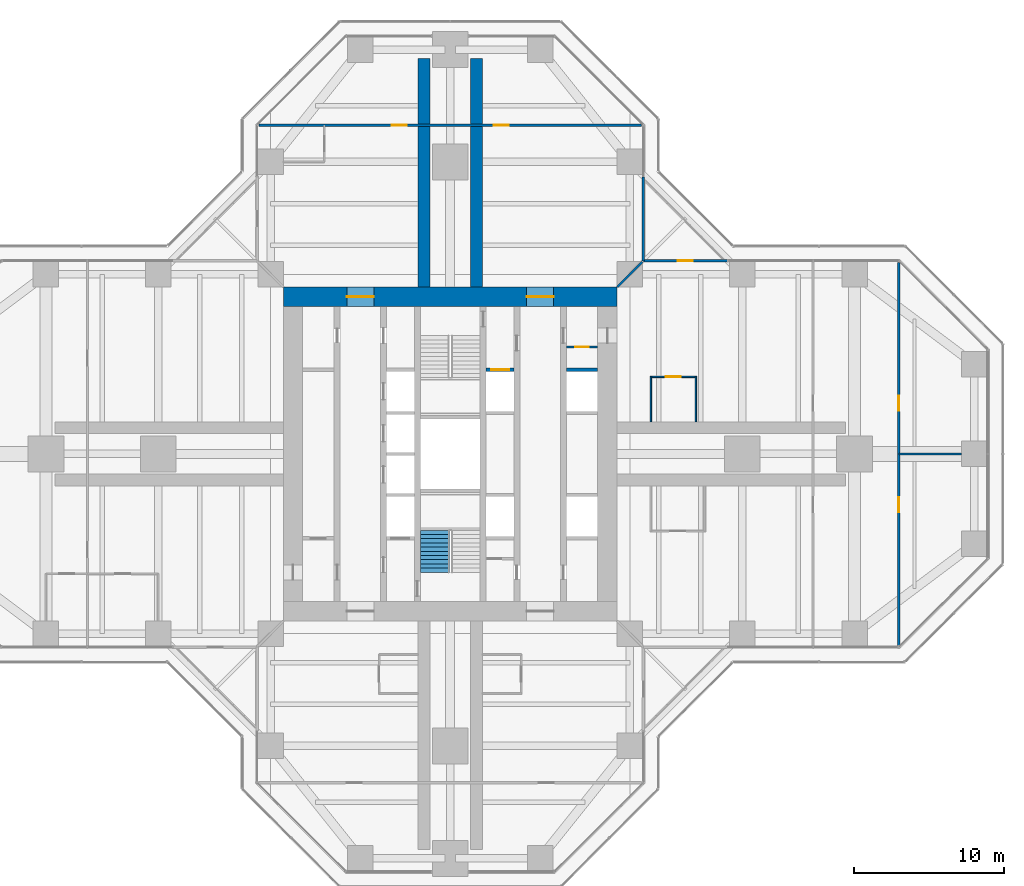
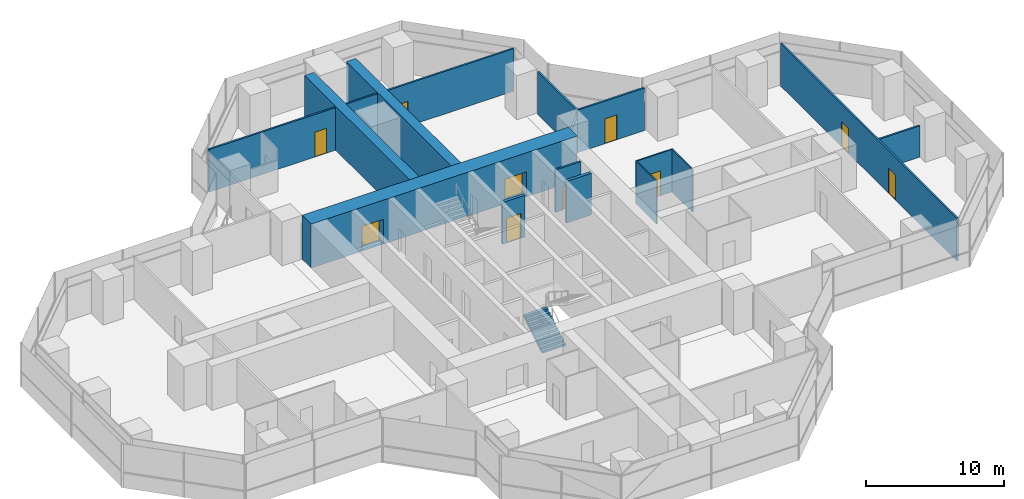
# One storey, part 17 of 19: 15 walls, 10 doors, 1 stair flight, 10 openings, 1 element without a shape of its own.
"""IFC4 building model written with IfcOpenShell, lengths in metres."""

from ifc_helpers import new_model, si_unit, direction, frame, frame_2d, origin, place, context, subcontext, project, spatial, polyline, rectangle, outline, extrude, material, layer, layer_set, type_object, element, fill, aggregate, save


model = new_model("IFC4")

# Units and contexts
model_context = context("Model", 3, precision=1e-05, world=origin(), true_north=direction((0.0, 1.0)))
body_context = subcontext(model_context, "Body", "Model", "MODEL_VIEW")
ifc_project = project(units=[si_unit("LENGTHUNIT", "METRE"), si_unit("AREAUNIT", "SQUARE_METRE"), si_unit("VOLUMEUNIT", "CUBIC_METRE"), si_unit("PLANEANGLEUNIT", "RADIAN"), si_unit("MASSUNIT", "GRAM", prefix="KILO")], contexts=[model_context])

# Site, building, storey
site_placement = place(None, origin())
site = spatial("IfcSite", under=ifc_project, at=site_placement, CompositionType="ELEMENT")
building_placement = place(site_placement, origin())
building = spatial("IfcBuilding", under=site, at=building_placement, Name="Mizan Broadcast Tower", CompositionType="ELEMENT")
storey_placement = place(building_placement, frame((0.0, 0.0, 182.699951171875)))
storey = spatial("IfcBuildingStorey", under=building, at=storey_placement, Name="L42", CompositionType="ELEMENT", Elevation=182.699951171875)

# Wall, opening, door
ifc_material_1 = material(Name="Concrete blockwork", Category="masonry")
ifc_layer_1 = layer(ifc_material_1, 0.14990234375)
ifc_layer_set_1 = layer_set([ifc_layer_1], Name="Concrete blockwork")
wall_type_1 = type_object("IfcWallType", Name="CORE PARTITION 150", PredefinedType="SOLIDWALL", material=ifc_layer_set_1)
wall_1_placement = place(storey_placement, frame((9.85009765625, 7.14990234375, 0.0), z_axis=(0.0, 0.0, 1.0), x_axis=(-1.0, 0.0, 0.0)))
wall_1 = element("IfcWall", 1, at=wall_1_placement, inside=storey, type_object=wall_type_1, Name="Core partition CORE/XPE", PredefinedType="SOLIDWALL", context=body_context, shape_type="SweptSolid", body=[
    extrude(rectangle(XDim=2.10009765625, YDim=0.14990234375, at=frame_2d((1.050048828125, 0.0))), origin(), (0.0, 0.0, 1.0), 3.77001953125),
])
opening_1_placement = place(wall_1_placement, frame((0.60009765625, 0.0, 0.0)))
opening_1 = element("IfcOpeningElement", 2, at=opening_1_placement, cuts=wall_1, Name="Opening D09F", PredefinedType="OPENING", context=body_context, shape_type="SweptSolid", body=[
    extrude(rectangle(XDim=0.89990234375, YDim=2.10009765625, at=frame_2d((0.449951171875, 1.050048828125))), frame((0.0, 0.0849609375, 0.0), z_axis=(0.0, -1.0, 0.0), x_axis=(1.0, 0.0, 0.0)), (0.0, 0.0, 1.0), 0.169921875),
])
ifc_material_2 = material(Name="Steel door leaf in steel frame", Category="steel")
door_type_1 = type_object("IfcDoorType", Name="CORE ROOM DOOR 900 FD90", OperationType="SINGLE_SWING_LEFT", PredefinedType="DOOR", material=ifc_material_2)
door_1_placement = place(opening_1_placement, origin())
door_1 = element("IfcDoor", 3, at=door_1_placement, inside=storey, type_object=door_type_1, Name="Electrical cupboard door", OperationType="SINGLE_SWING_RIGHT", OverallHeight=2.10009765625, OverallWidth=0.89990234375, PredefinedType="DOOR", context=body_context, shape_type="SweptSolid", body=[
    extrude(rectangle(XDim=0.89990234375, YDim=2.10009765625, at=frame_2d((0.449951171875, 1.050048828125))), frame((0.0, 0.02490234375, 0.0), z_axis=(0.0, -1.0, 0.0), x_axis=(1.0, 0.0, 0.0)), (0.0, 0.0, 1.0), 0.050048828125),
])
fill(opening_1, door_1)

# Wall, openings, doors
ifc_material_3 = material(Name="Concrete C70/85", Category="concrete")
ifc_layer_2 = layer(ifc_material_3, 1.300048828125)
ifc_layer_set_2 = layer_set([ifc_layer_2], Name="Concrete C70/85")
wall_type_2 = type_object("IfcWallType", Name="CORE WALL 1300", PredefinedType="SHEAR", material=ifc_layer_set_2)
wall_2_placement = place(storey_placement, frame((-11.14990234375, 10.5, 0.0), z_axis=(0.0, 0.0, 1.0), x_axis=(1.0, 0.0, 0.0)))
wall_2 = element("IfcWall", 4, at=wall_2_placement, inside=storey, type_object=wall_type_2, Name="Core wall N L42", PredefinedType="SHEAR", context=body_context, shape_type="SweptSolid", body=[
    extrude(rectangle(XDim=22.2998046875, YDim=1.300048828125, at=frame_2d((11.14990234375, 0.0))), origin(), (0.0, 0.0, 1.0), 3.900146484375),
])
opening_2_placement = place(wall_2_placement, frame((4.25, 0.0, 0.0)))
opening_2 = element("IfcOpeningElement", 5, at=opening_2_placement, cuts=wall_2, Name="Opening D18F", PredefinedType="OPENING", context=body_context, shape_type="SweptSolid", body=[
    extrude(rectangle(XDim=1.800048828125, YDim=2.199951171875, at=frame_2d((0.89990234375, 1.10009765625))), frame((0.0, 0.659912109375, 0.0), z_axis=(0.0, -1.0, 0.0), x_axis=(1.0, 0.0, 0.0)), (0.0, 0.0, 1.0), 1.320068359375),
])
opening_3_placement = place(wall_2_placement, frame((16.25, 0.0, 0.0)))
opening_3 = element("IfcOpeningElement", 6, at=opening_3_placement, cuts=wall_2, Name="Opening D18F", PredefinedType="OPENING", context=body_context, shape_type="SweptSolid", body=[
    extrude(rectangle(XDim=1.800048828125, YDim=2.199951171875, at=frame_2d((0.89990234375, 1.10009765625))), frame((0.0, 0.659912109375, 0.0), z_axis=(0.0, -1.0, 0.0), x_axis=(1.0, 0.0, 0.0)), (0.0, 0.0, 1.0), 1.320068359375),
])
ifc_material_4 = material(Name="Steel door leaf in steel frame", Category="steel")
door_type_2 = type_object("IfcDoorType", Name="LOBBY DOUBLE DOOR 1800 FD90", OperationType="DOUBLE_DOOR_DOUBLE_SWING", PredefinedType="DOOR", material=ifc_material_4)
door_2_placement = place(opening_2_placement, origin())
door_2 = element("IfcDoor", 7, at=door_2_placement, inside=storey, type_object=door_type_2, Name="West lift lobby north door", OperationType="DOUBLE_DOOR_DOUBLE_SWING", OverallHeight=2.199951171875, OverallWidth=1.800048828125, PredefinedType="DOOR", context=body_context, shape_type="SweptSolid", body=[
    extrude(rectangle(XDim=1.800048828125, YDim=2.199951171875, at=frame_2d((0.89990234375, 1.10009765625))), frame((0.0, 0.02490234375, 0.0), z_axis=(0.0, -1.0, 0.0), x_axis=(1.0, 0.0, 0.0)), (0.0, 0.0, 1.0), 0.050048828125),
])
fill(opening_2, door_2)
door_3_placement = place(opening_3_placement, origin())
door_3 = element("IfcDoor", 8, at=door_3_placement, inside=storey, type_object=door_type_2, Name="East lift lobby north door", OperationType="DOUBLE_DOOR_DOUBLE_SWING", OverallHeight=2.199951171875, OverallWidth=1.800048828125, PredefinedType="DOOR", context=body_context, shape_type="SweptSolid", body=[
    extrude(rectangle(XDim=1.800048828125, YDim=2.199951171875, at=frame_2d((0.89990234375, 1.10009765625))), frame((0.0, 0.02490234375, 0.0), z_axis=(0.0, -1.0, 0.0), x_axis=(1.0, 0.0, 0.0)), (0.0, 0.0, 1.0), 0.050048828125),
])
fill(opening_3, door_3)

# Wall, opening, door
ifc_material_5 = material(Name="Aluminium framed glazed screen", Category="aluminium")
ifc_layer_3 = layer(ifc_material_5, 0.159912109375)
ifc_layer_set_3 = layer_set([ifc_layer_3], Name="Aluminium framed glazed screen")
wall_type_3 = type_object("IfcWallType", Name="GLAZED SCREEN WALL 160", PredefinedType="SOLIDWALL", material=ifc_layer_set_3)
wall_3_placement = place(storey_placement, frame((18.5, 12.89990234375, 0.0), z_axis=(0.0, 0.0, 1.0), x_axis=(-1.0, 0.0, 0.0)))
wall_3 = element("IfcWall", 9, at=wall_3_placement, inside=storey, type_object=wall_type_3, Name="Winter garden screen L42 E", PredefinedType="SOLIDWALL", context=body_context, shape_type="SweptSolid", body=[
    extrude(rectangle(XDim=5.60009765625, YDim=0.159912109375, at=frame_2d((2.800048828125, 0.0))), origin(), (0.0, 0.0, 1.0), 3.77001953125),
])
opening_4_placement = place(wall_3_placement, frame((2.300048828125, 0.0, 0.0)))
opening_4 = element("IfcOpeningElement", 10, at=opening_4_placement, cuts=wall_3, Name="Opening WGD", PredefinedType="OPENING", context=body_context, shape_type="SweptSolid", body=[
    extrude(rectangle(XDim=1.0, YDim=2.199951171875, at=frame_2d((0.5, 1.10009765625))), frame((0.0, 0.08984375, 0.0), z_axis=(0.0, -1.0, 0.0), x_axis=(1.0, 0.0, 0.0)), (0.0, 0.0, 1.0), 0.179931640625),
])
ifc_material_6 = material(Name="Aluminium framed glazed door", Category="aluminium")
door_type_3 = type_object("IfcDoorType", Name="WINTER GARDEN DOOR 1000 GLAZED", OperationType="SINGLE_SWING_LEFT", PredefinedType="DOOR", material=ifc_material_6)
door_4_placement = place(opening_4_placement, origin())
door_4 = element("IfcDoor", 11, at=door_4_placement, inside=storey, type_object=door_type_3, Name="Winter garden door L42 E", OperationType="SINGLE_SWING_RIGHT", OverallHeight=2.199951171875, OverallWidth=1.0, PredefinedType="DOOR", context=body_context, shape_type="SweptSolid", body=[
    extrude(rectangle(XDim=1.0, YDim=2.199951171875, at=frame_2d((0.5, 1.10009765625))), frame((0.0, 0.02490234375, 0.0), z_axis=(0.0, -1.0, 0.0), x_axis=(1.0, 0.0, 0.0)), (0.0, 0.0, 1.0), 0.050048828125),
])
fill(opening_4, door_4)

# Wall
wall_4_placement = place(storey_placement, frame((12.89990234375, 12.89990234375, 0.0), z_axis=(0.0, 0.0, 1.0), x_axis=(0.0, 1.0, 0.0)))
element("IfcWall", 12, at=wall_4_placement, inside=storey, type_object=wall_type_3, Name="Winter garden screen L42 N", PredefinedType="SOLIDWALL", context=body_context, shape_type="SweptSolid", body=[
    extrude(rectangle(XDim=5.60009765625, YDim=0.159912109375, at=frame_2d((2.800048828125, 0.0))), origin(), (0.0, 0.0, 1.0), 3.77001953125),
])

# Wall, opening, door
ifc_material_7 = material(Name="Concrete blockwork", Category="masonry")
ifc_layer_4 = layer(ifc_material_7, 0.25)
ifc_layer_set_4 = layer_set([ifc_layer_4], Name="Concrete blockwork")
wall_type_4 = type_object("IfcWallType", Name="LOBBY ENCLOSURE WALL 250", PredefinedType="SOLIDWALL", material=ifc_layer_set_4)
wall_5_placement = place(storey_placement, frame((2.39990234375, 5.625, 0.0), z_axis=(0.0, 0.0, 1.0), x_axis=(1.0, 0.0, 0.0)))
wall_5 = element("IfcWall", 13, at=wall_5_placement, inside=storey, type_object=wall_type_4, Name="Lobby enclosure wall CORE/BE2N", PredefinedType="SOLIDWALL", context=body_context, shape_type="SweptSolid", body=[
    extrude(rectangle(XDim=1.85009765625, YDim=0.25, at=frame_2d((0.925048828125, 0.0))), origin(), (0.0, 0.0, 1.0), 3.699951171875),
])
opening_5_placement = place(wall_5_placement, frame((0.324951171875, 0.0, 0.0)))
opening_5 = element("IfcOpeningElement", 14, at=opening_5_placement, cuts=wall_5, Name="Opening LDF", PredefinedType="OPENING", context=body_context, shape_type="SweptSolid", body=[
    extrude(rectangle(XDim=1.199951171875, YDim=2.199951171875, at=frame_2d((0.60009765625, 1.10009765625))), frame((0.0, 0.135009765625, 0.0), z_axis=(0.0, -1.0, 0.0), x_axis=(1.0, 0.0, 0.0)), (0.0, 0.0, 1.0), 0.27001953125),
])
ifc_material_8 = material(Name="Steel door leaf in steel frame", Category="steel")
door_type_4 = type_object("IfcDoorType", Name="FIREFIGHTING LIFT LANDING DOOR 1200", OperationType="SLIDING_TO_LEFT", PredefinedType="DOOR", material=ifc_material_8)
door_5_placement = place(opening_5_placement, origin())
door_5 = element("IfcDoor", 15, at=door_5_placement, inside=storey, type_object=door_type_4, Name="Landing door FF2", OperationType="SLIDING_TO_LEFT", OverallHeight=2.199951171875, OverallWidth=1.199951171875, PredefinedType="DOOR", context=body_context, shape_type="SweptSolid", body=[
    extrude(rectangle(XDim=1.199951171875, YDim=2.199951171875, at=frame_2d((0.60009765625, 1.10009765625))), frame((0.0, 0.02490234375, 0.0), z_axis=(0.0, -1.0, 0.0), x_axis=(1.0, 0.0, 0.0)), (0.0, 0.0, 1.0), 0.050048828125),
])
fill(opening_5, door_5)

# Wall
wall_6_placement = place(storey_placement, frame((7.75, 5.625, 0.0), z_axis=(0.0, 0.0, 1.0), x_axis=(1.0, 0.0, 0.0)))
element("IfcWall", 16, at=wall_6_placement, inside=storey, type_object=wall_type_4, Name="Lobby enclosure wall CORE/BE1N", PredefinedType="SOLIDWALL", context=body_context, shape_type="SweptSolid", body=[
    extrude(rectangle(XDim=2.10009765625, YDim=0.25, at=frame_2d((1.050048828125, 0.0))), origin(), (0.0, 0.0, 1.0), 3.699951171875),
])

# Wall, openings, doors
ifc_material_9 = material(Name="Gypsum board on steel studs", Category="steel")
ifc_layer_5 = layer(ifc_material_9, 0.14990234375)
ifc_layer_set_5 = layer_set([ifc_layer_5], Name="Gypsum board on steel studs")
wall_type_5 = type_object("IfcWallType", Name="PARTITION 150", PredefinedType="PARTITIONING", material=ifc_layer_set_5)
wall_7_placement = place(storey_placement, frame((29.958984375, -12.786376953125, 0.0), z_axis=(0.0, 0.0, 1.0), x_axis=(0.0, 1.0, 0.0)))
wall_7 = element("IfcWall", 17, at=wall_7_placement, inside=storey, type_object=wall_type_5, Name="Partition PT/EX2", PredefinedType="PARTITIONING", context=body_context, shape_type="SweptSolid", body=[
    extrude(rectangle(XDim=25.57275390625, YDim=0.14990234375, at=frame_2d((12.786376953125, 0.0))), origin(), (0.0, 0.0, 1.0), 3.77001953125),
])
opening_6_placement = place(wall_7_placement, frame((15.6865234375, 0.0, 0.0)))
opening_6 = element("IfcOpeningElement", 18, at=opening_6_placement, cuts=wall_7, Name="Opening D10", PredefinedType="OPENING", context=body_context, shape_type="SweptSolid", body=[
    extrude(rectangle(XDim=1.0, YDim=2.199951171875, at=frame_2d((0.5, 1.10009765625))), frame((0.0, 0.0849609375, 0.0), z_axis=(0.0, -1.0, 0.0), x_axis=(1.0, 0.0, 0.0)), (0.0, 0.0, 1.0), 0.169921875),
])
opening_7_placement = place(wall_7_placement, frame((8.886474609375, 0.0, 0.0)))
opening_7 = element("IfcOpeningElement", 19, at=opening_7_placement, cuts=wall_7, Name="Opening D10", PredefinedType="OPENING", context=body_context, shape_type="SweptSolid", body=[
    extrude(rectangle(XDim=1.0, YDim=2.199951171875, at=frame_2d((0.5, 1.10009765625))), frame((0.0, 0.0849609375, 0.0), z_axis=(0.0, -1.0, 0.0), x_axis=(1.0, 0.0, 0.0)), (0.0, 0.0, 1.0), 0.169921875),
])
ifc_material_10 = material(Name="Timber door leaf in aluminium frame", Category="wood")
door_type_5 = type_object("IfcDoorType", Name="ROOM DOOR 1000", OperationType="SINGLE_SWING_LEFT", PredefinedType="DOOR", material=ifc_material_10)
door_6_placement = place(opening_6_placement, origin())
door_6 = element("IfcDoor", 20, at=door_6_placement, inside=storey, type_object=door_type_5, Name="Open office door", OperationType="SINGLE_SWING_RIGHT", OverallHeight=2.199951171875, OverallWidth=1.0, PredefinedType="DOOR", context=body_context, shape_type="SweptSolid", body=[
    extrude(rectangle(XDim=1.0, YDim=2.199951171875, at=frame_2d((0.5, 1.10009765625))), frame((0.0, 0.02490234375, 0.0), z_axis=(0.0, -1.0, 0.0), x_axis=(1.0, 0.0, 0.0)), (0.0, 0.0, 1.0), 0.050048828125),
])
fill(opening_6, door_6)
door_7_placement = place(opening_7_placement, origin())
door_7 = element("IfcDoor", 21, at=door_7_placement, inside=storey, type_object=door_type_5, Name="Open office door", OperationType="SINGLE_SWING_LEFT", OverallHeight=2.199951171875, OverallWidth=1.0, PredefinedType="DOOR", context=body_context, shape_type="SweptSolid", body=[
    extrude(rectangle(XDim=1.0, YDim=2.199951171875, at=frame_2d((0.5, 1.10009765625))), frame((0.0, 0.02490234375, 0.0), z_axis=(0.0, -1.0, 0.0), x_axis=(1.0, 0.0, 0.0)), (0.0, 0.0, 1.0), 0.050048828125),
])
fill(opening_7, door_7)

# Wall
wall_8_placement = place(storey_placement, frame((29.958984375, 0.0, 0.0), z_axis=(0.0, 0.0, 1.0), x_axis=(1.0, 0.0, 0.0)))
element("IfcWall", 22, at=wall_8_placement, inside=storey, type_object=wall_type_5, Name="Partition PT/EES", PredefinedType="PARTITIONING", context=body_context, shape_type="SweptSolid", body=[
    extrude(rectangle(XDim=4.19091796875, YDim=0.14990234375, at=frame_2d((2.095458984375, 0.0))), origin(), (0.0, 0.0, 1.0), 2.77001953125),
])

# Wall, openings, doors
wall_9_placement = place(storey_placement, frame((12.786376953125, 21.958984375, 0.0), z_axis=(0.0, 0.0, 1.0), x_axis=(-1.0, 0.0, 0.0)))
wall_9 = element("IfcWall", 23, at=wall_9_placement, inside=storey, type_object=wall_type_5, Name="Partition PT/NX1", PredefinedType="PARTITIONING", context=body_context, shape_type="SweptSolid", body=[
    extrude(rectangle(XDim=25.57275390625, YDim=0.14990234375, at=frame_2d((12.786376953125, 0.0))), origin(), (0.0, 0.0, 1.0), 3.77001953125),
])
opening_8_placement = place(wall_9_placement, frame((15.6865234375, 0.0, 0.0)))
opening_8 = element("IfcOpeningElement", 24, at=opening_8_placement, cuts=wall_9, Name="Opening D10", PredefinedType="OPENING", context=body_context, shape_type="SweptSolid", body=[
    extrude(rectangle(XDim=1.0, YDim=2.199951171875, at=frame_2d((0.5, 1.10009765625))), frame((0.0, 0.0849609375, 0.0), z_axis=(0.0, -1.0, 0.0), x_axis=(1.0, 0.0, 0.0)), (0.0, 0.0, 1.0), 0.169921875),
])
opening_9_placement = place(wall_9_placement, frame((8.886474609375, 0.0, 0.0)))
opening_9 = element("IfcOpeningElement", 25, at=opening_9_placement, cuts=wall_9, Name="Opening D10", PredefinedType="OPENING", context=body_context, shape_type="SweptSolid", body=[
    extrude(rectangle(XDim=1.0, YDim=2.199951171875, at=frame_2d((0.5, 1.10009765625))), frame((0.0, 0.0849609375, 0.0), z_axis=(0.0, -1.0, 0.0), x_axis=(1.0, 0.0, 0.0)), (0.0, 0.0, 1.0), 0.169921875),
])
door_8_placement = place(opening_8_placement, origin())
door_8 = element("IfcDoor", 26, at=door_8_placement, inside=storey, type_object=door_type_5, Name="Office door", OperationType="SINGLE_SWING_RIGHT", OverallHeight=2.199951171875, OverallWidth=1.0, PredefinedType="DOOR", context=body_context, shape_type="SweptSolid", body=[
    extrude(rectangle(XDim=1.0, YDim=2.199951171875, at=frame_2d((0.5, 1.10009765625))), frame((0.0, 0.02490234375, 0.0), z_axis=(0.0, -1.0, 0.0), x_axis=(1.0, 0.0, 0.0)), (0.0, 0.0, 1.0), 0.050048828125),
])
fill(opening_8, door_8)
door_9_placement = place(opening_9_placement, origin())
door_9 = element("IfcDoor", 27, at=door_9_placement, inside=storey, type_object=door_type_5, Name="Office door", OperationType="SINGLE_SWING_LEFT", OverallHeight=2.199951171875, OverallWidth=1.0, PredefinedType="DOOR", context=body_context, shape_type="SweptSolid", body=[
    extrude(rectangle(XDim=1.0, YDim=2.199951171875, at=frame_2d((0.5, 1.10009765625))), frame((0.0, 0.02490234375, 0.0), z_axis=(0.0, -1.0, 0.0), x_axis=(1.0, 0.0, 0.0)), (0.0, 0.0, 1.0), 0.050048828125),
])
fill(opening_9, door_9)

# Walls
wall_10_placement = place(storey_placement, frame((11.14990234375, 11.14990234375, 0.0), z_axis=(0.0, 0.0, 1.0), x_axis=(0.707106781187, 0.707106781187, 0.0)))
element("IfcWall", 28, at=wall_10_placement, inside=storey, type_object=wall_type_5, Name="Partition PT/DGEN", PredefinedType="PARTITIONING", context=body_context, shape_type="SweptSolid", body=[
    extrude(rectangle(XDim=2.362060546875, YDim=0.14990234375, at=frame_2d((1.18115234375, 0.0))), origin(), (0.0, 0.0, 1.0), 3.219970703125),
])
ifc_material_11 = material(Name="Glazed aluminium partition on aluminium track", Category="aluminium")
ifc_layer_6 = layer(ifc_material_11, 0.10009765625)
ifc_layer_set_6 = layer_set([ifc_layer_6], Name="Glazed aluminium partition on aluminium track")
wall_type_6 = type_object("IfcWallType", Name="PARTITION GLAZED OFFICE FRONT 100", PredefinedType="PARTITIONING", material=ifc_layer_set_6)
for number, where, z_axis, x_axis, name in (
    (29, (13.39990234375, 2.14990234375, 0.0), (0.0, 0.0, 1.0), (0.0, 1.0, 0.0), "Glazed office front PT/EKP0a"),
    (30, (16.39990234375, 2.14990234375, 0.0), (0.0, 0.0, 1.0), (0.0, 1.0, 0.0), "Glazed office front PT/EKP0b"),
):
    element("IfcWall", number, at=place(storey_placement, frame(where, z_axis=z_axis, x_axis=x_axis)), inside=storey, type_object=wall_type_6, Name=name, PredefinedType="PARTITIONING", context=body_context, shape_type="SweptSolid", body=[
        extrude(rectangle(XDim=3.0, YDim=0.10009765625, at=frame_2d((1.5, 0.0))), origin(), (0.0, 0.0, 1.0), 3.77001953125),
    ])

# Wall, opening, door
wall_11_placement = place(storey_placement, frame((13.35009765625, 5.14990234375, 0.0), z_axis=(0.0, 0.0, 1.0), x_axis=(1.0, 0.0, 0.0)))
wall_11 = element("IfcWall", 31, at=wall_11_placement, inside=storey, type_object=wall_type_6, Name="Glazed office front PT/EKP0f", PredefinedType="PARTITIONING", context=body_context, shape_type="SweptSolid", body=[
    extrude(rectangle(XDim=3.099853515625, YDim=0.10009765625, at=frame_2d((1.5498046875, 0.0))), origin(), (0.0, 0.0, 1.0), 3.77001953125),
])
opening_10_placement = place(wall_11_placement, frame((1.050048828125, 0.0, 0.0)))
opening_10 = element("IfcOpeningElement", 32, at=opening_10_placement, cuts=wall_11, Name="Opening D10O", PredefinedType="OPENING", context=body_context, shape_type="SweptSolid", body=[
    extrude(rectangle(XDim=1.0, YDim=2.199951171875, at=frame_2d((0.5, 1.10009765625))), frame((0.0, 0.06005859375, 0.0), z_axis=(0.0, -1.0, 0.0), x_axis=(1.0, 0.0, 0.0)), (0.0, 0.0, 1.0), 0.1201171875),
])
ifc_material_12 = material(Name="Timber door leaf in aluminium frame", Category="wood")
door_type_6 = type_object("IfcDoorType", Name="OFFICE DOOR 1000 GLAZED", OperationType="SINGLE_SWING_LEFT", PredefinedType="DOOR", material=ifc_material_12)
door_10_placement = place(opening_10_placement, origin())
door_10 = element("IfcDoor", 33, at=door_10_placement, inside=storey, type_object=door_type_6, Name="Pantry door", OperationType="SINGLE_SWING_LEFT", OverallHeight=2.199951171875, OverallWidth=1.0, PredefinedType="DOOR", context=body_context, shape_type="SweptSolid", body=[
    extrude(rectangle(XDim=1.0, YDim=2.199951171875, at=frame_2d((0.5, 1.10009765625))), frame((0.0, 0.02490234375, 0.0), z_axis=(0.0, -1.0, 0.0), x_axis=(1.0, 0.0, 0.0)), (0.0, 0.0, 1.0), 0.050048828125),
])
fill(opening_10, door_10)

# Walls
ifc_material_13 = material(Name="Concrete C70/85", Category="concrete")
ifc_layer_7 = layer(ifc_material_13, 0.800048828125)
ifc_layer_set_7 = layer_set([ifc_layer_7], Name="Concrete C70/85")
wall_type_7 = type_object("IfcWallType", Name="SPINE WALL 800", PredefinedType="SHEAR", material=ifc_layer_set_7)
for number, where, z_axis, x_axis, name in (
    (34, (1.75, 11.14990234375, 0.0), (0.0, 0.0, 1.0), (0.0, 1.0, 0.0), "Spine wall NR L42"),
    (35, (-1.75, 11.14990234375, 0.0), (0.0, 0.0, 1.0), (0.0, 1.0, 0.0), "Spine wall NL L42"),
):
    element("IfcWall", number, at=place(storey_placement, frame(where, z_axis=z_axis, x_axis=x_axis)), inside=storey, type_object=wall_type_7, Name=name, PredefinedType="SHEAR", context=body_context, shape_type="SweptSolid", body=[
        extrude(rectangle(XDim=15.25, YDim=0.800048828125, at=frame_2d((7.625, 0.0))), origin(), (0.0, 0.0, 1.0), 3.900146484375),
    ])

# Stair, stair flight
ifc_material_14 = material(Name="Concrete C40/50", Category="concrete")
stair_type = type_object("IfcStairType", Name="EXIT STAIR", PredefinedType="HALF_TURN_STAIR", material=ifc_material_14)
stair_placement = place(storey_placement, origin())
stair = element("IfcStair", 36, at=stair_placement, inside=storey, type_object=stair_type, Name="Stair A L42", PredefinedType="HALF_TURN_STAIR")
ifc_material_15 = material(Name="Concrete C40/50", Category="concrete")
stair_flight_type = type_object("IfcStairFlightType", Name="EXIT STAIR FLIGHT", PredefinedType="STRAIGHT", material=ifc_material_15)
stair_flight_placement = place(storey_placement, frame((-1.02490234375, -7.89990234375, 0.0), z_axis=(0.0, 0.0, 1.0), x_axis=(0.0, 1.0, 0.0)))
stair_flight = element("IfcStairFlight", 37, at=stair_flight_placement, type_object=stair_flight_type, Name="A flight 1", NumberOfRisers=11, NumberOfTreads=10, PredefinedType="STRAIGHT", RiserHeight=0.177272727, TreadLength=0.28, context=body_context, shape_type="SweptSolid", body=[
    extrude(outline(polyline([(0.0, 0.0), (0.0, 0.17724609375), (0.280029296875, 0.17724609375), (0.280029296875, 0.3544921875), (0.56005859375, 0.3544921875), (0.56005859375, 0.53173828125), (0.840087890625, 0.53173828125), (0.840087890625, 0.708984375), (1.1201171875, 0.708984375), (1.1201171875, 0.886474609375), (1.39990234375, 0.886474609375), (1.39990234375, 1.063720703125), (1.679931640625, 1.063720703125), (1.679931640625, 1.240966796875), (1.9599609375, 1.240966796875), (1.9599609375, 1.418212890625), (2.239990234375, 1.418212890625), (2.239990234375, 1.595458984375), (2.52001953125, 1.595458984375), (2.52001953125, 1.772705078125), (2.800048828125, 1.772705078125), (2.800048828125, 1.949951171875), (2.800048828125, 1.59521484375), (0.2802734375, 0.0), (0.0, 0.0)])), frame((0.0, 0.97509765625, 0.0), z_axis=(0.0, -1.0, 0.0), x_axis=(1.0, 0.0, 0.0)), (0.0, 0.0, 1.0), 0.4873046875),
    extrude(outline(polyline([(0.0, 0.0), (0.0, 0.17724609375), (0.280029296875, 0.17724609375), (0.280029296875, 0.3544921875), (0.56005859375, 0.3544921875), (0.56005859375, 0.53173828125), (0.840087890625, 0.53173828125), (0.840087890625, 0.708984375), (1.1201171875, 0.708984375), (1.1201171875, 0.886474609375), (1.39990234375, 0.886474609375), (1.39990234375, 1.063720703125), (1.679931640625, 1.063720703125), (1.679931640625, 1.240966796875), (1.9599609375, 1.240966796875), (1.9599609375, 1.418212890625), (2.239990234375, 1.418212890625), (2.239990234375, 1.595458984375), (2.52001953125, 1.595458984375), (2.52001953125, 1.772705078125), (2.800048828125, 1.772705078125), (2.800048828125, 1.949951171875), (2.800048828125, 1.59521484375), (0.2802734375, 0.0), (0.0, 0.0)])), frame((0.0, 0.4873046875, 0.0), z_axis=(0.0, -1.0, 0.0), x_axis=(1.0, 0.0, 0.0)), (0.0, 0.0, 1.0), 0.2431640625),
    extrude(outline(polyline([(0.0, 0.0), (0.0, 0.17724609375), (0.280029296875, 0.17724609375), (0.280029296875, 0.3544921875), (0.56005859375, 0.3544921875), (0.56005859375, 0.53173828125), (0.840087890625, 0.53173828125), (0.840087890625, 0.708984375), (1.1201171875, 0.708984375), (1.1201171875, 0.886474609375), (1.39990234375, 0.886474609375), (1.39990234375, 1.063720703125), (1.679931640625, 1.063720703125), (1.679931640625, 1.240966796875), (1.9599609375, 1.240966796875), (1.9599609375, 1.418212890625), (2.239990234375, 1.418212890625), (2.239990234375, 1.595458984375), (2.52001953125, 1.595458984375), (2.52001953125, 1.772705078125), (2.800048828125, 1.772705078125), (2.800048828125, 1.949951171875), (2.800048828125, 1.59521484375), (0.2802734375, 0.0), (0.0, 0.0)])), frame((0.0, 0.24365234375, 0.0), z_axis=(0.0, -1.0, 0.0), x_axis=(1.0, 0.0, 0.0)), (0.0, 0.0, 1.0), 0.121337890625),
    extrude(outline(polyline([(0.0, 0.0), (0.0, 0.17724609375), (0.280029296875, 0.17724609375), (0.280029296875, 0.3544921875), (0.56005859375, 0.3544921875), (0.56005859375, 0.53173828125), (0.840087890625, 0.53173828125), (0.840087890625, 0.708984375), (1.1201171875, 0.708984375), (1.1201171875, 0.886474609375), (1.39990234375, 0.886474609375), (1.39990234375, 1.063720703125), (1.679931640625, 1.063720703125), (1.679931640625, 1.240966796875), (1.9599609375, 1.240966796875), (1.9599609375, 1.418212890625), (2.239990234375, 1.418212890625), (2.239990234375, 1.595458984375), (2.52001953125, 1.595458984375), (2.52001953125, 1.772705078125), (2.800048828125, 1.772705078125), (2.800048828125, 1.949951171875), (2.800048828125, 1.59521484375), (0.2802734375, 0.0), (0.0, 0.0)])), frame((0.0, 0.121826171875, 0.0), z_axis=(0.0, -1.0, 0.0), x_axis=(1.0, 0.0, 0.0)), (0.0, 0.0, 1.0), 0.060546875),
    extrude(outline(polyline([(0.0, 0.0), (0.0, 0.17724609375), (0.280029296875, 0.17724609375), (0.280029296875, 0.3544921875), (0.56005859375, 0.3544921875), (0.56005859375, 0.53173828125), (0.840087890625, 0.53173828125), (0.840087890625, 0.708984375), (1.1201171875, 0.708984375), (1.1201171875, 0.886474609375), (1.39990234375, 0.886474609375), (1.39990234375, 1.063720703125), (1.679931640625, 1.063720703125), (1.679931640625, 1.240966796875), (1.9599609375, 1.240966796875), (1.9599609375, 1.418212890625), (2.239990234375, 1.418212890625), (2.239990234375, 1.595458984375), (2.52001953125, 1.595458984375), (2.52001953125, 1.772705078125), (2.800048828125, 1.772705078125), (2.800048828125, 1.949951171875), (2.800048828125, 1.59521484375), (0.2802734375, 0.0), (0.0, 0.0)])), frame((0.0, 0.060791015625, 0.0), z_axis=(0.0, -1.0, 0.0), x_axis=(1.0, 0.0, 0.0)), (0.0, 0.0, 1.0), 0.030029296875),
    extrude(outline(polyline([(0.0, 0.0), (0.0, 0.17724609375), (0.280029296875, 0.17724609375), (0.280029296875, 0.3544921875), (0.56005859375, 0.3544921875), (0.56005859375, 0.53173828125), (0.840087890625, 0.53173828125), (0.840087890625, 0.708984375), (1.1201171875, 0.708984375), (1.1201171875, 0.886474609375), (1.39990234375, 0.886474609375), (1.39990234375, 1.063720703125), (1.679931640625, 1.063720703125), (1.679931640625, 1.240966796875), (1.9599609375, 1.240966796875), (1.9599609375, 1.418212890625), (2.239990234375, 1.418212890625), (2.239990234375, 1.595458984375), (2.52001953125, 1.595458984375), (2.52001953125, 1.772705078125), (2.800048828125, 1.772705078125), (2.800048828125, 1.949951171875), (2.800048828125, 1.59521484375), (0.2802734375, 0.0), (0.0, 0.0)])), frame((0.0, 0.0302734375, 0.0), z_axis=(0.0, -1.0, 0.0), x_axis=(1.0, 0.0, 0.0)), (0.0, 0.0, 1.0), 0.060302734375),
    extrude(outline(polyline([(0.0, 0.0), (0.0, 0.17724609375), (0.280029296875, 0.17724609375), (0.280029296875, 0.3544921875), (0.56005859375, 0.3544921875), (0.56005859375, 0.53173828125), (0.840087890625, 0.53173828125), (0.840087890625, 0.708984375), (1.1201171875, 0.708984375), (1.1201171875, 0.886474609375), (1.39990234375, 0.886474609375), (1.39990234375, 1.063720703125), (1.679931640625, 1.063720703125), (1.679931640625, 1.240966796875), (1.9599609375, 1.240966796875), (1.9599609375, 1.418212890625), (2.239990234375, 1.418212890625), (2.239990234375, 1.595458984375), (2.52001953125, 1.595458984375), (2.52001953125, 1.772705078125), (2.800048828125, 1.772705078125), (2.800048828125, 1.949951171875), (2.800048828125, 1.59521484375), (0.2802734375, 0.0), (0.0, 0.0)])), frame((0.0, -0.030517578125, 0.0), z_axis=(0.0, -1.0, 0.0), x_axis=(1.0, 0.0, 0.0)), (0.0, 0.0, 1.0), 0.030029296875),
    extrude(outline(polyline([(0.0, 0.0), (0.0, 0.17724609375), (0.280029296875, 0.17724609375), (0.280029296875, 0.3544921875), (0.56005859375, 0.3544921875), (0.56005859375, 0.53173828125), (0.840087890625, 0.53173828125), (0.840087890625, 0.708984375), (1.1201171875, 0.708984375), (1.1201171875, 0.886474609375), (1.39990234375, 0.886474609375), (1.39990234375, 1.063720703125), (1.679931640625, 1.063720703125), (1.679931640625, 1.240966796875), (1.9599609375, 1.240966796875), (1.9599609375, 1.418212890625), (2.239990234375, 1.418212890625), (2.239990234375, 1.595458984375), (2.52001953125, 1.595458984375), (2.52001953125, 1.772705078125), (2.800048828125, 1.772705078125), (2.800048828125, 1.949951171875), (2.800048828125, 1.59521484375), (0.2802734375, 0.0), (0.0, 0.0)])), frame((0.0, -0.06103515625, 0.0), z_axis=(0.0, -1.0, 0.0), x_axis=(1.0, 0.0, 0.0)), (0.0, 0.0, 1.0), 0.060546875),
    extrude(outline(polyline([(0.0, 0.0), (0.0, 0.17724609375), (0.280029296875, 0.17724609375), (0.280029296875, 0.3544921875), (0.56005859375, 0.3544921875), (0.56005859375, 0.53173828125), (0.840087890625, 0.53173828125), (0.840087890625, 0.708984375), (1.1201171875, 0.708984375), (1.1201171875, 0.886474609375), (1.39990234375, 0.886474609375), (1.39990234375, 1.063720703125), (1.679931640625, 1.063720703125), (1.679931640625, 1.240966796875), (1.9599609375, 1.240966796875), (1.9599609375, 1.418212890625), (2.239990234375, 1.418212890625), (2.239990234375, 1.595458984375), (2.52001953125, 1.595458984375), (2.52001953125, 1.772705078125), (2.800048828125, 1.772705078125), (2.800048828125, 1.949951171875), (2.800048828125, 1.59521484375), (0.2802734375, 0.0), (0.0, 0.0)])), frame((0.0, -0.1220703125, 0.0), z_axis=(0.0, -1.0, 0.0), x_axis=(1.0, 0.0, 0.0)), (0.0, 0.0, 1.0), 0.121337890625),
    extrude(outline(polyline([(0.0, 0.0), (0.0, 0.17724609375), (0.280029296875, 0.17724609375), (0.280029296875, 0.3544921875), (0.56005859375, 0.3544921875), (0.56005859375, 0.53173828125), (0.840087890625, 0.53173828125), (0.840087890625, 0.708984375), (1.1201171875, 0.708984375), (1.1201171875, 0.886474609375), (1.39990234375, 0.886474609375), (1.39990234375, 1.063720703125), (1.679931640625, 1.063720703125), (1.679931640625, 1.240966796875), (1.9599609375, 1.240966796875), (1.9599609375, 1.418212890625), (2.239990234375, 1.418212890625), (2.239990234375, 1.595458984375), (2.52001953125, 1.595458984375), (2.52001953125, 1.772705078125), (2.800048828125, 1.772705078125), (2.800048828125, 1.949951171875), (2.800048828125, 1.59521484375), (0.2802734375, 0.0), (0.0, 0.0)])), frame((0.0, -0.243896484375, 0.0), z_axis=(0.0, -1.0, 0.0), x_axis=(1.0, 0.0, 0.0)), (0.0, 0.0, 1.0), 0.2431640625),
    extrude(outline(polyline([(0.0, 0.0), (0.0, 0.17724609375), (0.280029296875, 0.17724609375), (0.280029296875, 0.3544921875), (0.56005859375, 0.3544921875), (0.56005859375, 0.53173828125), (0.840087890625, 0.53173828125), (0.840087890625, 0.708984375), (1.1201171875, 0.708984375), (1.1201171875, 0.886474609375), (1.39990234375, 0.886474609375), (1.39990234375, 1.063720703125), (1.679931640625, 1.063720703125), (1.679931640625, 1.240966796875), (1.9599609375, 1.240966796875), (1.9599609375, 1.418212890625), (2.239990234375, 1.418212890625), (2.239990234375, 1.595458984375), (2.52001953125, 1.595458984375), (2.52001953125, 1.772705078125), (2.800048828125, 1.772705078125), (2.800048828125, 1.949951171875), (2.800048828125, 1.59521484375), (0.2802734375, 0.0), (0.0, 0.0)])), frame((0.0, -0.487548828125, 0.0), z_axis=(0.0, -1.0, 0.0), x_axis=(1.0, 0.0, 0.0)), (0.0, 0.0, 1.0), 0.4873046875),
])
aggregate(stair, [stair_flight])

save(model, "model.ifc")
